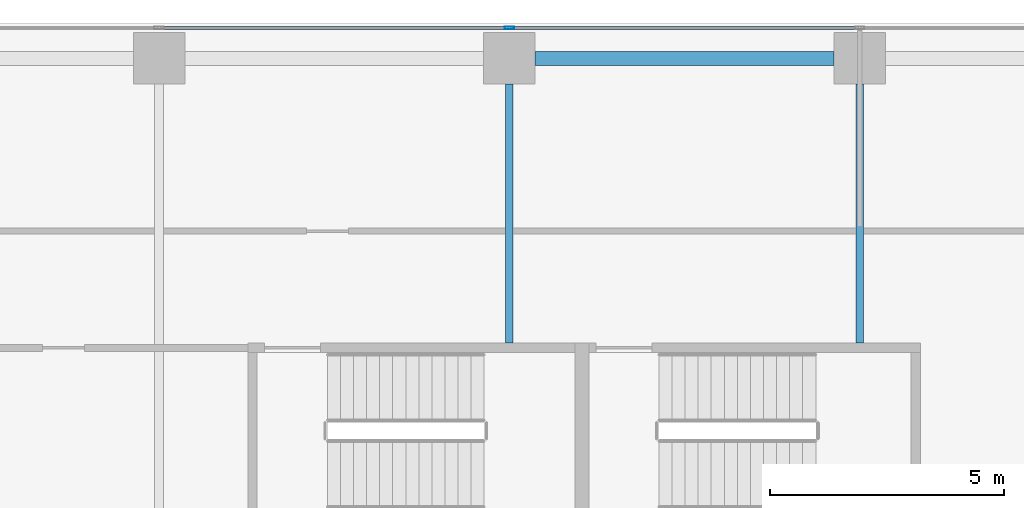
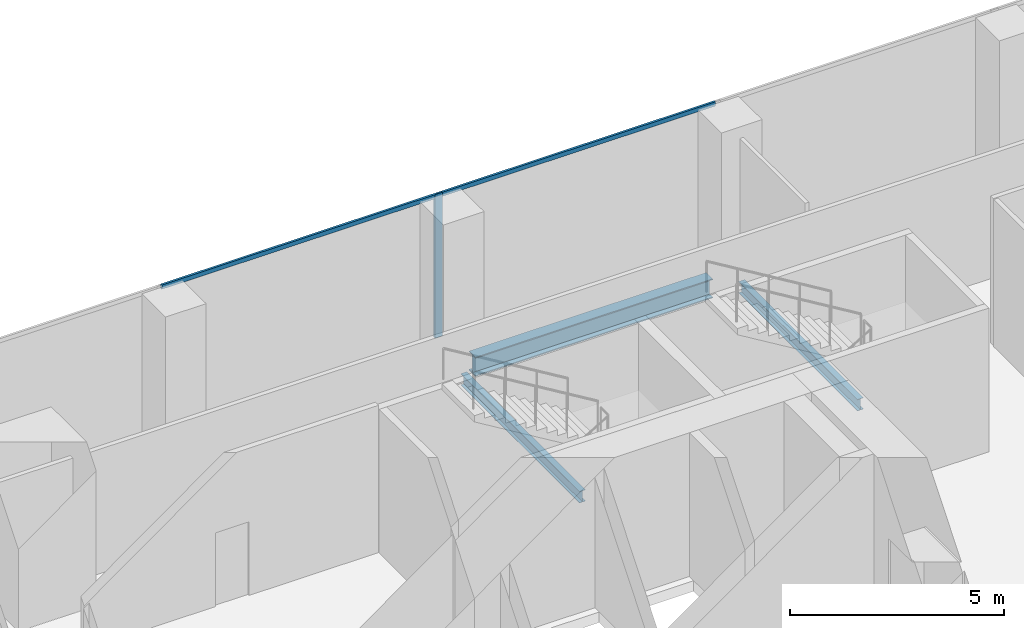
# One storey, part 17 of 35: 3 beams, 3 members, 1 element without a shape of its own.
"""IFC4 building model written with IfcOpenShell, lengths in metres."""

from ifc_helpers import new_model, si_unit, direction, frame, origin, origin_2d, place, context, subcontext, project, spatial, hollow_rectangle, i_section, extrude, source, transform, mapped, material, material_profile, profile_set, type_object, element, aggregate, save


model = new_model("IFC4")

# Units and contexts
model_context = context("Model", 3, precision=1e-05, world=origin(), true_north=direction((0.0, 1.0)))
body_context = subcontext(model_context, "Body", "Model", "MODEL_VIEW")
ifc_project = project(units=[si_unit("LENGTHUNIT", "METRE"), si_unit("AREAUNIT", "SQUARE_METRE"), si_unit("VOLUMEUNIT", "CUBIC_METRE"), si_unit("PLANEANGLEUNIT", "RADIAN"), si_unit("MASSUNIT", "GRAM", prefix="KILO")], contexts=[model_context])

# Site, building, storey
site_placement = place(None, origin())
site = spatial("IfcSite", under=ifc_project, at=site_placement, CompositionType="ELEMENT")
building_placement = place(site_placement, origin())
building = spatial("IfcBuilding", under=site, at=building_placement, Name="Khomas Fold Tower", CompositionType="ELEMENT")
storey_placement = place(building_placement, frame((0.0, 0.0, 132.300048828125)))
storey = spatial("IfcBuildingStorey", under=building, at=storey_placement, Name="L28", CompositionType="ELEMENT", Elevation=132.300048828125)

# Beams
ifc_material_1 = material(Name="Steel S355", Category="steel")
ifc_material_profile_1 = material_profile(ifc_material_1, i_section(OverallWidth=0.300048828125, OverallDepth=0.550048828125, WebThickness=0.014892578125, FlangeThickness=0.029052734375, at=origin_2d()), Name="HE 550 B")
ifc_profile_set_1 = profile_set([ifc_material_profile_1], Name="Steel S355")
beam_type_1 = type_object("IfcBeamType", Name="HE 550 B spandrel SB2", PredefinedType="SPANDREL", material=ifc_profile_set_1)
shared_shape_1 = source(origin(), body_context, "Body", "SweptSolid", [
    extrude(i_section(OverallWidth=0.300048828125, OverallDepth=0.550048828125, WebThickness=0.014892578125, FlangeThickness=0.029052734375, at=origin_2d()), origin(), (0.0, 0.0, 1.0), 6.39990234375),
])
beam_placement = place(storey_placement, frame((20.050048828125, 51.75, -0.574951171875), z_axis=(1.0, 0.0, 0.0), x_axis=(0.0, 1.0, 0.0)))
element("IfcBeam", 1, at=beam_placement, inside=storey, type_object=beam_type_1, Name="SB2", PredefinedType="SPANDREL", context=body_context, shape_type="MappedRepresentation", body=[
    mapped(shared_shape_1, transform((0.0, 0.0, 0.0))),
])
ifc_material_2 = material(Name="Steel S355", Category="steel")
ifc_material_profile_2 = material_profile(ifc_material_2, i_section(OverallWidth=0.159912109375, OverallDepth=0.330078125, WebThickness=0.007568359375, FlangeThickness=0.011474609375, at=origin_2d()), Name="IPE 330")
ifc_profile_set_2 = profile_set([ifc_material_profile_2], Name="Steel S355")
beam_type_2 = type_object("IfcBeamType", Name="IPE 330 beam JB1", PredefinedType="BEAM", material=ifc_profile_set_2)
shared_shape_2 = source(origin(), body_context, "Body", "SweptSolid", [
    extrude(i_section(OverallWidth=0.159912109375, OverallDepth=0.330078125, WebThickness=0.007568359375, FlangeThickness=0.011474609375, at=origin_2d()), origin(), (0.0, 0.0, 1.0), 5.550048828125),
])
for number, where, z_axis, x_axis, name in (
    (2, (19.5, 45.64990234375, -0.465087890625), (0.0, 1.0, 0.0), (-1.0, 0.0, 0.0), "JB1"),
    (3, (27.0, 45.64990234375, -0.465087890625), (0.0, 1.0, 0.0), (-1.0, 0.0, 0.0), "JB1"),
):
    element("IfcBeam", number, at=place(storey_placement, frame(where, z_axis=z_axis, x_axis=x_axis)), inside=storey, type_object=beam_type_2, Name=name, PredefinedType="BEAM", context=body_context, shape_type="MappedRepresentation", body=[
        mapped(shared_shape_2, transform((0.0, 0.0, 0.0))),
    ])

# Curtain wall, members
ifc_material_3 = material(Name="Aluminium framed double glazing", Category="aluminium")
curtain_wall_type = type_object("IfcCurtainWallType", Name="SK-Unitised clear-glass wall, growing floors CW1", PredefinedType="NOTDEFINED", material=ifc_material_3)
curtain_wall_placement = place(storey_placement, origin())
curtain_wall = element("IfcCurtainWall", 4, at=curtain_wall_placement, inside=storey, type_object=curtain_wall_type, Name="CW1 run L28 06-0", PredefinedType="NOTDEFINED")
ifc_material_4 = material(Name="Aluminium", Category="aluminium")
ifc_material_profile_3 = material_profile(ifc_material_4, hollow_rectangle(XDim=0.06005859375, YDim=0.1201171875, WallThickness=0.00390625, at=origin_2d()), Name="SK-Unitised clear-glass wall, growing floors transom CW1-T")
ifc_profile_set_3 = profile_set([ifc_material_profile_3], Name="Aluminium")
member_type_1 = type_object("IfcMemberType", Name="SK-Unitised clear-glass wall, growing floors transom CW1-T", PredefinedType="USERDEFINED", material=ifc_profile_set_3)
shared_shape_3 = source(origin(), body_context, "Body", "SweptSolid", [
    extrude(hollow_rectangle(XDim=0.06005859375, YDim=0.1201171875, WallThickness=0.00390625, at=origin_2d()), origin(), (0.0, 0.0, 1.0), 7.43994140625),
])
member_1_placement = place(storey_placement, frame((26.969970703125, 52.39990234375, 4.0400390625), z_axis=(-1.0, 0.0, 0.0), x_axis=(0.0, -1.0, 0.0)))
member_1 = element("IfcMember", 5, at=member_1_placement, type_object=member_type_1, Name="CW1 transom 5", ObjectType="TRANSOM", PredefinedType="USERDEFINED", context=body_context, shape_type="MappedRepresentation", body=[
    mapped(shared_shape_3, transform((0.0, 0.0, 0.0))),
])
member_2_placement = place(storey_placement, frame((19.469970703125, 52.39990234375, 4.0400390625), z_axis=(-1.0, 0.0, 0.0), x_axis=(0.0, -1.0, 0.0)))
member_2 = element("IfcMember", 6, at=member_2_placement, type_object=member_type_1, Name="CW1 transom 6", ObjectType="TRANSOM", PredefinedType="USERDEFINED", context=body_context, shape_type="MappedRepresentation", body=[
    mapped(shared_shape_3, transform((0.0, 0.0, 0.0))),
])
ifc_material_5 = material(Name="Aluminium", Category="aluminium")
ifc_material_profile_4 = material_profile(ifc_material_5, hollow_rectangle(XDim=0.06005859375, YDim=0.199951171875, WallThickness=0.00390625, at=origin_2d()), Name="SK-Unitised clear-glass wall, growing floors mullion CW1-M")
ifc_profile_set_4 = profile_set([ifc_material_profile_4], Name="Aluminium")
member_type_2 = type_object("IfcMemberType", Name="SK-Unitised clear-glass wall, growing floors mullion CW1-M", PredefinedType="MULLION", material=ifc_profile_set_4)
shared_shape_4 = source(origin(), body_context, "Body", "SweptSolid", [
    extrude(hollow_rectangle(XDim=0.06005859375, YDim=0.199951171875, WallThickness=0.00390625, at=origin_2d()), origin(), (0.0, 0.0, 1.0), 4.099853515625),
])
member_3_placement = place(storey_placement, frame((19.5, 52.39990234375, 0.0), z_axis=(0.0, 0.0, 1.0), x_axis=(0.0, -1.0, 0.0)))
member_3 = element("IfcMember", 7, at=member_3_placement, type_object=member_type_2, Name="CW1 mullion 6", PredefinedType="MULLION", context=body_context, shape_type="MappedRepresentation", body=[
    mapped(shared_shape_4, transform((0.0, 0.0, 0.0))),
])
aggregate(curtain_wall, [member_3, member_1, member_2])

save(model, "model.ifc")
